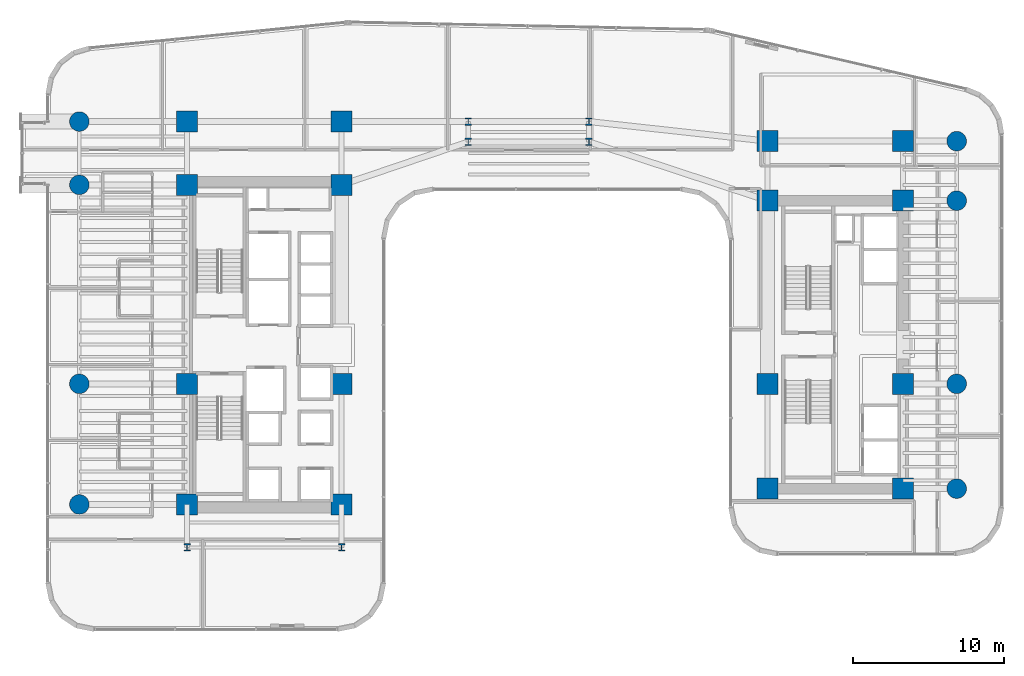
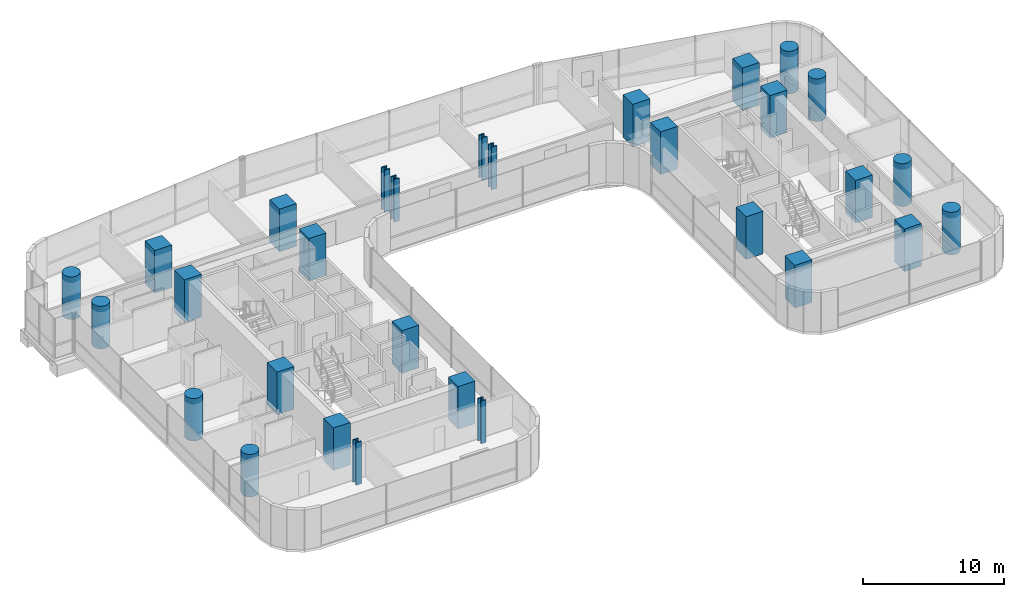
# One storey, part 1 of 40: 30 columns.
"""IFC4 building model written with IfcOpenShell, lengths in metres."""

from ifc_helpers import new_model, si_unit, direction, frame, origin, origin_2d, place, context, subcontext, project, spatial, rectangle, circle, i_section, extrude, source, transform, mapped, material, material_profile, profile_set, type_object, element, save


model = new_model("IFC4")

# Units and contexts
model_context = context("Model", 3, precision=1e-05, world=origin(), true_north=direction((0.0, 1.0)))
body_context = subcontext(model_context, "Body", "Model", "MODEL_VIEW")
ifc_project = project(units=[si_unit("LENGTHUNIT", "METRE"), si_unit("AREAUNIT", "SQUARE_METRE"), si_unit("VOLUMEUNIT", "CUBIC_METRE"), si_unit("PLANEANGLEUNIT", "RADIAN"), si_unit("MASSUNIT", "GRAM", prefix="KILO")], contexts=[model_context])

# Site, building, storey
site_placement = place(None, origin())
site = spatial("IfcSite", under=ifc_project, at=site_placement, CompositionType="ELEMENT")
building_placement = place(site_placement, origin())
building = spatial("IfcBuilding", under=site, at=building_placement, Name="Valdorenza Pilgrim Sanctuary Tower", CompositionType="ELEMENT")
storey_placement = place(building_placement, frame((0.0, 0.0, 81.5)))
storey = spatial("IfcBuildingStorey", under=building, at=storey_placement, Name="L20", CompositionType="ELEMENT", Elevation=81.5)

# Columns
ifc_material_1 = material(Name="Concrete C60/75", Category="concrete")
ifc_material_profile_1 = material_profile(ifc_material_1, circle(Radius=0.64990234375, at=origin_2d()), Name="RC D1300")
ifc_profile_set_1 = profile_set([ifc_material_profile_1], Name="Concrete C60/75")
column_type_1 = type_object("IfcColumnType", Name="COL-RND-1300", PredefinedType="COLUMN", material=ifc_profile_set_1)
shared_shape_1 = source(origin(), body_context, "Body", "SweptSolid", [
    extrude(circle(Radius=0.64990234375, at=origin_2d()), origin(), (0.0, 0.0, 1.0), 3.699951171875),
])
for number, where, z_axis, x_axis, name in (
    (1, (-29.800048828125, -10.60009765625, 0.0), (0.0, 0.0, 1.0), (1.0, 0.0, 0.0), "L20 Perimeter Column WA-W-S1"),
    (2, (-29.800048828125, -2.60009765625, 0.0), (0.0, 0.0, 1.0), (1.0, 0.0, 0.0), "L20 Perimeter Column WA-W-M0"),
    (3, (-29.800048828125, 10.60009765625, 0.0), (0.0, 0.0, 1.0), (1.0, 0.0, 0.0), "L20 Perimeter Column WA-W-N1"),
    (4, (-29.800048828125, 14.800048828125, 0.0), (0.0, 0.0, 1.0), (1.0, 0.0, 0.0), "L20 Perimeter Column WA-W-N2"),
    (5, (28.39990234375, -9.550048828125, 0.0), (0.0, 0.0, 1.0), (1.0, 0.0, 0.0), "L20 Perimeter Column WB-E-S1"),
    (6, (28.39990234375, -2.60009765625, 0.0), (0.0, 0.0, 1.0), (1.0, 0.0, 0.0), "L20 Perimeter Column WB-E-M0"),
    (7, (28.39990234375, 9.550048828125, 0.0), (0.0, 0.0, 1.0), (1.0, 0.0, 0.0), "L20 Perimeter Column WB-E-N1"),
    (8, (28.39990234375, 13.5, 0.0), (0.0, 0.0, 1.0), (1.0, 0.0, 0.0), "L20 Perimeter Column WB-E-N2"),
):
    element("IfcColumn", number, at=place(storey_placement, frame(where, z_axis=z_axis, x_axis=x_axis)), inside=storey, type_object=column_type_1, Name=name, PredefinedType="COLUMN", context=body_context, shape_type="MappedRepresentation", body=[
        mapped(shared_shape_1, transform((0.0, 0.0, 0.0), x_axis=(1.0, 0.0, 0.0), y_axis=(0.0, 1.0, 0.0), z_axis=(0.0, 0.0, 1.0), scale=1.0)),
    ])
ifc_material_profile_2 = material_profile(ifc_material_1, rectangle(XDim=1.39990234375, YDim=1.39990234375, at=origin_2d()), Name="RC 1400x1400")
ifc_profile_set_2 = profile_set([ifc_material_profile_2], Name="Concrete C60/75")
column_type_2 = type_object("IfcColumnType", Name="COL-Z1-1400", PredefinedType="COLUMN", material=ifc_profile_set_2)
shared_shape_2 = source(origin(), body_context, "Body", "SweptSolid", [
    extrude(rectangle(XDim=1.39990234375, YDim=1.39990234375, at=origin_2d()), origin(), (0.0, 0.0, 1.0), 3.699951171875),
])
for number, where, z_axis, x_axis, name in (
    (9, (-22.64990234375, -10.60009765625, 0.0), (0.0, 0.0, 1.0), (1.0, 0.0, 0.0), "L20 Column CA-W-S1"),
    (10, (-12.39990234375, -10.60009765625, 0.0), (0.0, 0.0, 1.0), (1.0, 0.0, 0.0), "L20 Column CA-E-S1"),
    (11, (-22.64990234375, -2.60009765625, 0.0), (0.0, 0.0, 1.0), (1.0, 0.0, 0.0), "L20 Column CA-W-M0"),
    (12, (-12.39990234375, -2.60009765625, 0.0), (0.0, 0.0, 1.0), (1.0, 0.0, 0.0), "L20 Column CA-E-M0"),
    (13, (-22.64990234375, 10.60009765625, 0.0), (0.0, 0.0, 1.0), (1.0, 0.0, 0.0), "L20 Column CA-W-N1"),
    (14, (-12.39990234375, 10.60009765625, 0.0), (0.0, 0.0, 1.0), (1.0, 0.0, 0.0), "L20 Column CA-E-N1"),
    (15, (-22.64990234375, 14.800048828125, 0.0), (0.0, 0.0, 1.0), (1.0, 0.0, 0.0), "L20 Column CA-W-N2"),
    (16, (-12.39990234375, 14.800048828125, 0.0), (0.0, 0.0, 1.0), (1.0, 0.0, 0.0), "L20 Column CA-E-N2"),
    (17, (15.85009765625, -9.550048828125, 0.0), (0.0, 0.0, 1.0), (1.0, 0.0, 0.0), "L20 Column CB-W-S1"),
    (18, (24.85009765625, -9.550048828125, 0.0), (0.0, 0.0, 1.0), (1.0, 0.0, 0.0), "L20 Column CB-E-S1"),
    (19, (15.85009765625, -2.60009765625, 0.0), (0.0, 0.0, 1.0), (1.0, 0.0, 0.0), "L20 Column CB-W-M0"),
    (20, (24.85009765625, -2.60009765625, 0.0), (0.0, 0.0, 1.0), (1.0, 0.0, 0.0), "L20 Column CB-E-M0"),
    (21, (15.85009765625, 9.550048828125, 0.0), (0.0, 0.0, 1.0), (1.0, 0.0, 0.0), "L20 Column CB-W-N1"),
    (22, (24.85009765625, 9.550048828125, 0.0), (0.0, 0.0, 1.0), (1.0, 0.0, 0.0), "L20 Column CB-E-N1"),
    (23, (15.85009765625, 13.5, 0.0), (0.0, 0.0, 1.0), (1.0, 0.0, 0.0), "L20 Column CB-W-N2"),
    (24, (24.85009765625, 13.5, 0.0), (0.0, 0.0, 1.0), (1.0, 0.0, 0.0), "L20 Column CB-E-N2"),
):
    element("IfcColumn", number, at=place(storey_placement, frame(where, z_axis=z_axis, x_axis=x_axis)), inside=storey, type_object=column_type_2, Name=name, PredefinedType="COLUMN", context=body_context, shape_type="MappedRepresentation", body=[
        mapped(shared_shape_2, transform((0.0, 0.0, 0.0), x_axis=(1.0, 0.0, 0.0), y_axis=(0.0, 1.0, 0.0), z_axis=(0.0, 0.0, 1.0), scale=1.0)),
    ])
ifc_material_2 = material(Name="Steel ASTM A992 Grade 50", Category="steel")
ifc_material_profile_3 = material_profile(ifc_material_2, i_section(OverallWidth=0.431884765625, OverallDepth=0.498046875, WebThickness=0.0556640625, FlangeThickness=0.0888671875, at=origin_2d()), Name="W14X500")
ifc_profile_set_3 = profile_set([ifc_material_profile_3], Name="Steel ASTM A992 Grade 50")
column_type_3 = type_object("IfcColumnType", Name="COL-STL-W500", PredefinedType="COLUMN", material=ifc_profile_set_3)
shared_shape_3 = source(origin(), body_context, "Body", "SweptSolid", [
    extrude(i_section(OverallWidth=0.431884765625, OverallDepth=0.498046875, WebThickness=0.0556640625, FlangeThickness=0.0888671875, at=origin_2d()), origin(), (0.0, 0.0, 1.0), 3.699951171875),
])
for number, where, z_axis, x_axis, name in (
    (25, (-22.64990234375, -13.449951171875, 0.0), (0.0, 0.0, 1.0), (1.0, 0.0, 0.0), "L20 Column WA-S-W"),
    (26, (-12.39990234375, -13.449951171875, 0.0), (0.0, 0.0, 1.0), (1.0, 0.0, 0.0), "L20 Column WA-S-E"),
    (27, (-4.0, 13.449951171875, 0.0), (0.0, 0.0, 1.0), (1.0, 0.0, 0.0), "L20 Column KNK-W1"),
    (28, (-4.0, 14.800048828125, 0.0), (0.0, 0.0, 1.0), (1.0, 0.0, 0.0), "L20 Column KNK-W2"),
    (29, (4.0, 13.449951171875, 0.0), (0.0, 0.0, 1.0), (1.0, 0.0, 0.0), "L20 Column KNK-E1"),
    (30, (4.0, 14.800048828125, 0.0), (0.0, 0.0, 1.0), (1.0, 0.0, 0.0), "L20 Column KNK-E2"),
):
    element("IfcColumn", number, at=place(storey_placement, frame(where, z_axis=z_axis, x_axis=x_axis)), inside=storey, type_object=column_type_3, Name=name, PredefinedType="COLUMN", context=body_context, shape_type="MappedRepresentation", body=[
        mapped(shared_shape_3, transform((0.0, 0.0, 0.0), x_axis=(1.0, 0.0, 0.0), y_axis=(0.0, 1.0, 0.0), z_axis=(0.0, 0.0, 1.0), scale=1.0)),
    ])

save(model, "model.ifc")
